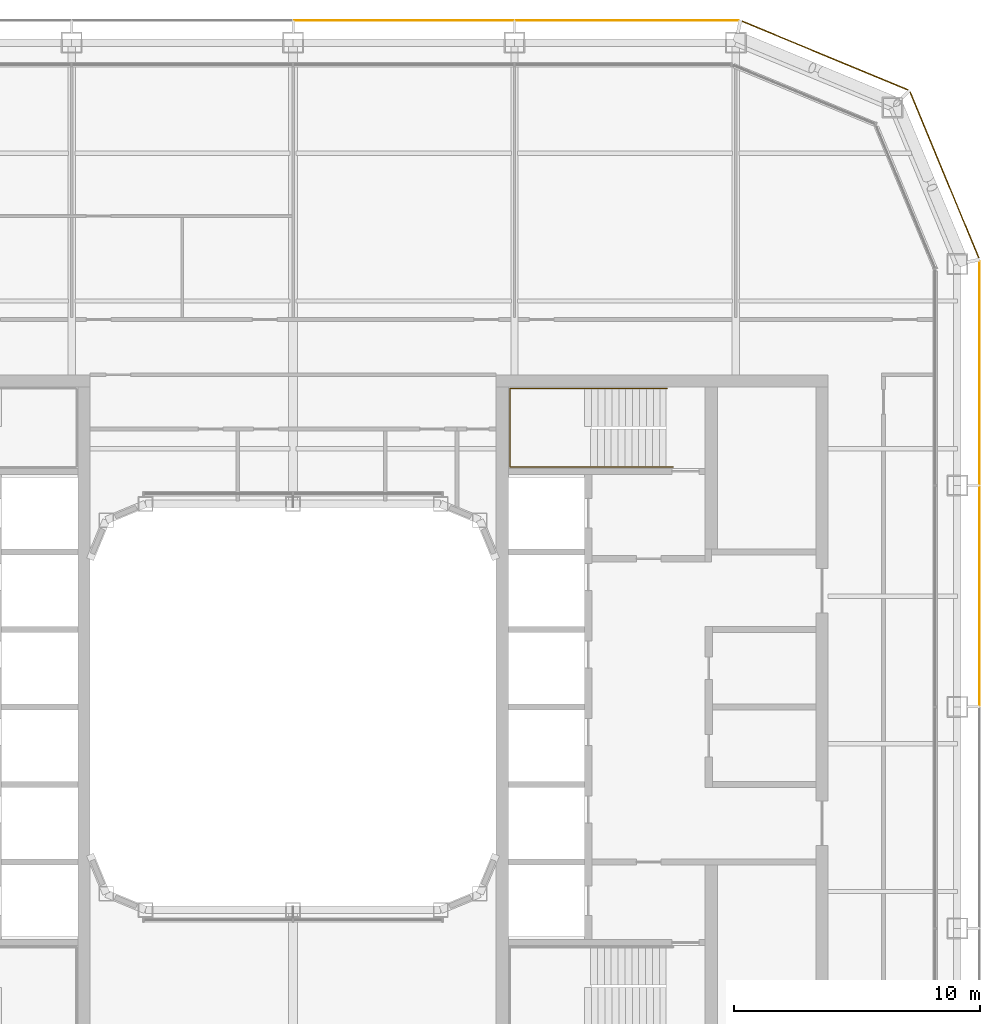
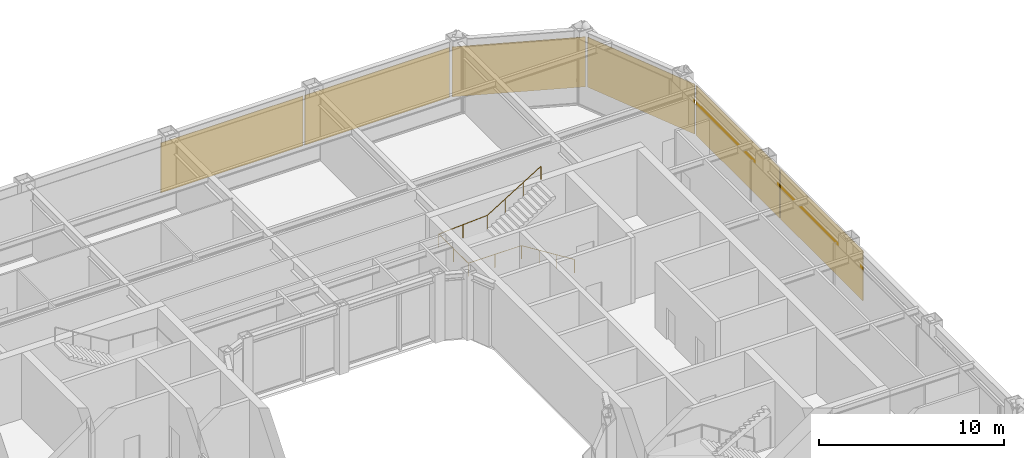
# One storey, part 19 of 19: 6 coverings, 1 railing.
"""IFC4 building model written with IfcOpenShell, lengths in metres."""

import ifcopenshell
import ifcopenshell.guid

model = None  # the IFC model being written
_history = None  # IfcOwnerHistory: only IFC2X3 demands one
_inside = {}  # id of a spatial element -> (the spatial element, [elements in it])
_under = {}  # id of a project, library or spatial element -> (it, [spatial elements below it])
_declared = {}  # id of a project -> (the project, [libraries it declares])
_typed = {}  # id of a type object -> (the type object, [elements of that type])
_made_of = {}  # id of a material, layer set ... -> (it, [elements and type objects made of it])


def new_model(schema):
    """Start an empty IFC model of exactly this schema.

    Asked for "IFC4X3", IfcOpenShell would pick the latest addendum, in which some entities
    have other attributes; the version numbers below select the first issue.
    IFC2X3 requires an IfcOwnerHistory on every rooted entity: one is made here for all.
    """
    global model, _history
    if schema == "IFC4X3":
        model = ifcopenshell.file(schema_version=(4, 3, 0, 0))
    else:
        model = ifcopenshell.file(schema=schema)
    _inside.clear()
    _under.clear()
    _declared.clear()
    _typed.clear()
    _made_of.clear()
    _history = None
    if model.schema == "IFC2X3":
        org = make("IfcOrganization", Name="unknown")
        user = make(
            "IfcPersonAndOrganization",
            ThePerson=make("IfcPerson", FamilyName="unknown"),
            TheOrganization=org,
        )
        app = make(
            "IfcApplication",
            ApplicationDeveloper=org,
            Version="unknown",
            ApplicationFullName="unknown",
            ApplicationIdentifier="unknown",
        )
        _history = make(
            "IfcOwnerHistory",
            OwningUser=user,
            OwningApplication=app,
            ChangeAction="ADDED",
            CreationDate=0,
        )
    return model


def make(cls, **values):
    """One entity of the class cls with the attributes given. An attribute that is None is left unset."""
    return model.create_entity(
        cls, **{name: value for name, value in values.items() if value is not None}
    )


def rooted(cls, **values):
    """An entity with a GlobalId (a new one), such as an element, a storey or a relation."""
    return make(cls, GlobalId=ifcopenshell.guid.new(), OwnerHistory=_history, **values)


def si_unit(unit_type, name, prefix=None):
    """IfcSIUnit, for example si_unit("LENGTHUNIT", "METRE", prefix="MILLI")."""
    return make("IfcSIUnit", UnitType=unit_type, Prefix=prefix, Name=name)


def assignment(units):
    """IfcUnitAssignment: the units of a project."""
    return None if units is None else make("IfcUnitAssignment", Units=units)


def point(xyz):
    """IfcCartesianPoint."""
    return None if xyz is None else make("IfcCartesianPoint", Coordinates=xyz)


def direction(xyz):
    """IfcDirection."""
    return None if xyz is None else make("IfcDirection", DirectionRatios=xyz)


def frame(location, z_axis=None, x_axis=None):
    """IfcAxis2Placement3D, a coordinate frame: its origin and axes. An axis left out is left unset."""
    return make(
        "IfcAxis2Placement3D",
        Location=point(location),
        Axis=direction(z_axis),
        RefDirection=direction(x_axis),
    )


def frame_2d(location, x_axis=None):
    """IfcAxis2Placement2D, a coordinate frame in the plane: its origin and x axis."""
    return make(
        "IfcAxis2Placement2D", Location=point(location), RefDirection=direction(x_axis)
    )


def origin():
    """The frame at (0, 0, 0) with its axes left unset."""
    return frame((0.0, 0.0, 0.0))


def origin_2d():
    """The frame at (0, 0) in the plane with its x axis left unset."""
    return frame_2d((0.0, 0.0))


def place(relative_to, where):
    """IfcLocalPlacement: puts the frame where relative to a parent placement (None: the world)."""
    return make(
        "IfcLocalPlacement", PlacementRelTo=relative_to, RelativePlacement=where
    )


def context(
    kind, dimensions, precision=None, world=None, true_north=None, identifier=None
):
    """IfcGeometricRepresentationContext, for example the 3D "Model" context."""
    return make(
        "IfcGeometricRepresentationContext",
        ContextIdentifier=identifier,
        ContextType=kind,
        CoordinateSpaceDimension=dimensions,
        Precision=precision,
        WorldCoordinateSystem=world,
        TrueNorth=true_north,
    )


def subcontext(parent, identifier, kind, view, scale=None):
    """IfcGeometricRepresentationSubContext, for example "Body" below "Model"."""
    return make(
        "IfcGeometricRepresentationSubContext",
        ContextIdentifier=identifier,
        ContextType=kind,
        ParentContext=parent,
        TargetScale=scale,
        TargetView=view,
    )


def project(units=None, contexts=None):
    """IfcProject with its units and contexts."""
    return rooted(
        "IfcProject",
        Name="project",
        RepresentationContexts=contexts,
        UnitsInContext=assignment(units),
    )


def spatial(cls, under=None, at=None, **own):
    """A site, building, storey or space (cls), placed at a placement, below another one or the project."""
    s = rooted(cls, ObjectPlacement=at, **own)
    if under is not None:
        _under.setdefault(under.id(), (under, []))[1].append(s)
    return s


def profile(cls, at=None, kind="AREA", **sizes):
    """A parametric profile (cls). Its sizes go by their IFC names, for example OverallWidth=200.0."""
    return make(cls, ProfileType=kind, Position=at, **sizes)


def rectangle(**sizes):
    """IfcRectangleProfileDef."""
    return profile("IfcRectangleProfileDef", **sizes)


def circle(**sizes):
    """IfcCircleProfileDef."""
    return profile("IfcCircleProfileDef", **sizes)


def extrude(swept, where, along, depth):
    """IfcExtrudedAreaSolid: the profile swept, set in the frame where, extruded along a direction by depth."""
    return make(
        "IfcExtrudedAreaSolid",
        SweptArea=swept,
        Position=where,
        ExtrudedDirection=direction(along),
        Depth=depth,
    )


def shape(context_of_items, identifier, shape_type, items):
    """IfcShapeRepresentation: the items that make up one representation, for example the "Body"."""
    return make(
        "IfcShapeRepresentation",
        ContextOfItems=context_of_items,
        RepresentationIdentifier=identifier,
        RepresentationType=shape_type,
        Items=items,
    )


def material(Name=None, Category=None):
    """IfcMaterial."""
    return make("IfcMaterial", Name=Name, Category=Category)


def layer(
    of_material, thickness, ventilated=None, Name=None, Category=None, Priority=None
):
    """IfcMaterialLayer: one layer of a wall or slab, of a material (None: an air gap)."""
    return make(
        "IfcMaterialLayer",
        Material=of_material,
        LayerThickness=thickness,
        IsVentilated=ventilated,
        Name=Name,
        Category=Category,
        Priority=Priority,
    )


def layer_set(layers, Name=None):
    """IfcMaterialLayerSet."""
    return make("IfcMaterialLayerSet", MaterialLayers=layers, LayerSetName=Name)


def made_of(thing, what):
    """Note that an element or type object is made of a material, layer set ...; save() writes the relation."""
    if what is not None:
        _made_of.setdefault(what.id(), (what, []))[1].append(thing)
    return thing


def type_object(cls, material=None, **own):
    """A type object (cls), such as IfcWallType, which elements share."""
    return made_of(rooted(cls, **own), material)


def element(
    cls,
    number,
    at=None,
    inside=None,
    cuts=None,
    type_object=None,
    material=None,
    context=None,
    identifier="Body",
    shape_type=None,
    held_by="IfcProductDefinitionShape",
    body=None,
    shapes=None,
    **own,
):
    """One element of the class cls, such as IfcWall. Its Tag is "e" and its number.

    at: its placement. inside: the storey or other place that contains it. cuts: it is an
    opening in that element (IfcRelVoidsElement). A single representation is given by context,
    identifier, shape_type and body (its items); several are given by shapes. held_by: the class
    of the entity that holds the representations. save() writes the other relations.
    """
    e = rooted(cls, Tag="e%d" % number, ObjectPlacement=at, **own)
    if body is not None:
        shapes = [shape(context, identifier, shape_type, body)]
    if shapes is not None:
        e.Representation = make(held_by, Representations=shapes)
    if inside is not None:
        _inside.setdefault(inside.id(), (inside, []))[1].append(e)
    if cuts is not None:
        rooted(
            "IfcRelVoidsElement", RelatingBuildingElement=cuts, RelatedOpeningElement=e
        )
    if type_object is not None:
        _typed.setdefault(type_object.id(), (type_object, []))[1].append(e)
    return made_of(e, material)


def aggregate(whole, parts):
    """IfcRelAggregates: a whole, such as a stair, and the parts it consists of."""
    return rooted("IfcRelAggregates", RelatingObject=whole, RelatedObjects=parts)


def save(model, path):
    """Write the relations noted so far, then the file.

    IfcRelAggregates (storeys below a building ...), IfcRelContainedInSpatialStructure (elements
    in a storey), IfcRelDefinesByType, IfcRelAssociatesMaterial and IfcRelDeclares: one each for
    every whole, place, type object, material and project.
    """
    for whole, parts in _under.values():
        aggregate(whole, parts)
    for where, things in _inside.values():
        rooted(
            "IfcRelContainedInSpatialStructure",
            RelatedElements=things,
            RelatingStructure=where,
        )
    for kind, things in _typed.values():
        rooted("IfcRelDefinesByType", RelatedObjects=things, RelatingType=kind)
    for what, things in _made_of.values():
        rooted("IfcRelAssociatesMaterial", RelatedObjects=things, RelatingMaterial=what)
    for by, libraries in _declared.values():
        rooted("IfcRelDeclares", RelatingContext=by, RelatedDefinitions=libraries)
    model.write(path)


model = new_model("IFC4")

# Units and contexts
model_context = context("Model", 3, precision=1e-05, world=origin(), true_north=direction((0.0, 1.0)))
body_context = subcontext(model_context, "Body", "Model", "MODEL_VIEW")
ifc_project = project(units=[si_unit("LENGTHUNIT", "METRE"), si_unit("AREAUNIT", "SQUARE_METRE"), si_unit("VOLUMEUNIT", "CUBIC_METRE"), si_unit("PLANEANGLEUNIT", "RADIAN"), si_unit("MASSUNIT", "GRAM", prefix="KILO")], contexts=[model_context])

# Site, building, storey
site_placement = place(None, origin())
site = spatial("IfcSite", under=ifc_project, at=site_placement, CompositionType="ELEMENT")
building_placement = place(site_placement, origin())
building = spatial("IfcBuilding", under=site, at=building_placement, Name="Siwar Civic Tower", CompositionType="ELEMENT")
storey_placement = place(building_placement, frame((0.0, 0.0, 228.699951171875)))
storey = spatial("IfcBuildingStorey", under=building, at=storey_placement, Name="L49", CompositionType="ELEMENT", Elevation=228.699951171875)

# Railing
ifc_material_1 = material(Name="Stainless steel", Category="steel")
railing_type = type_object("IfcRailingType", Name="CORE-STAIR-HANDRAIL", PredefinedType="HANDRAIL", material=ifc_material_1)
railing_placement = place(storey_placement, frame((15.449951171875, 9.758056640625, 0.173095703125)))
element("IfcRailing", 1, at=railing_placement, inside=storey, type_object=railing_type, Name="Stair handrail ST3", PredefinedType="HANDRAIL", context=body_context, shape_type="SweptSolid", body=[
    extrude(circle(Radius=0.02001953125, at=origin_2d()), frame((0.0, 0.0, 0.8798828125), z_axis=(-0.847063342986, 0.0, 0.531491950051), x_axis=(0.0, -1.0, 0.0)), (0.0, 0.0, 1.0), 3.90771484375),
    extrude(circle(Radius=0.02001953125, at=origin_2d()), frame((-3.31005859375, 0.0, 2.956787109375), z_axis=(-1.0, 0.0, 0.0), x_axis=(0.0, -1.0, 0.0)), (0.0, 0.0, 1.0), 3.331787109375),
    extrude(circle(Radius=0.02001953125, at=origin_2d()), frame((-6.641845703125, 0.0, 2.956787109375), z_axis=(0.0, 1.0, 0.0), x_axis=(-1.0, 0.0, 0.0)), (0.0, 0.0, 1.0), 3.183837890625),
    extrude(circle(Radius=0.02001953125, at=origin_2d()), frame((-6.641845703125, 3.183837890625, 2.956787109375), z_axis=(0.99837434197, 0.0, 0.056997134106), x_axis=(0.0, 1.0, 0.0)), (0.0, 0.0, 1.0), 3.036865234375),
    extrude(circle(Radius=0.02001953125, at=origin_2d()), frame((-3.60986328125, 3.183837890625, 3.1298828125), z_axis=(0.850606129759, 0.0, 0.525803396734), x_axis=(0.0, 1.0, 0.0)), (0.0, 0.0, 1.0), 3.949951171875),
    extrude(circle(Radius=0.02001953125, at=origin_2d()), origin(), (0.0, 0.0, 1.0), 0.85986328125),
    extrude(circle(Radius=0.02001953125, at=origin_2d()), frame((-1.103271484375, 0.0, 0.6923828125)), (0.0, 0.0, 1.0), 0.85986328125),
    extrude(circle(Radius=0.02001953125, at=origin_2d()), frame((-2.206787109375, 0.0, 1.384521484375)), (0.0, 0.0, 1.0), 0.85986328125),
    extrude(circle(Radius=0.02001953125, at=origin_2d()), frame((-3.31005859375, 0.0, 2.076904296875)), (0.0, 0.0, 1.0), 0.85986328125),
    extrude(circle(Radius=0.02001953125, at=origin_2d()), frame((-4.97607421875, 0.0, 2.076904296875)), (0.0, 0.0, 1.0), 0.85986328125),
    extrude(circle(Radius=0.02001953125, at=origin_2d()), frame((-6.641845703125, 0.0, 2.076904296875)), (0.0, 0.0, 1.0), 0.85986328125),
    extrude(circle(Radius=0.02001953125, at=origin_2d()), frame((-6.641845703125, 1.591796875, 2.076904296875)), (0.0, 0.0, 1.0), 0.85986328125),
    extrude(circle(Radius=0.02001953125, at=origin_2d()), frame((-6.641845703125, 3.183837890625, 2.076904296875)), (0.0, 0.0, 1.0), 0.85986328125),
    extrude(circle(Radius=0.02001953125, at=origin_2d()), frame((-5.1259765625, 3.183837890625, 2.16357421875)), (0.0, 0.0, 1.0), 0.85986328125),
    extrude(circle(Radius=0.02001953125, at=origin_2d()), frame((-3.60986328125, 3.183837890625, 2.25)), (0.0, 0.0, 1.0), 0.85986328125),
    extrude(circle(Radius=0.02001953125, at=origin_2d()), frame((-2.489990234375, 3.183837890625, 2.9423828125)), (0.0, 0.0, 1.0), 0.85986328125),
    extrude(circle(Radius=0.02001953125, at=origin_2d()), frame((-1.369873046875, 3.183837890625, 3.634521484375)), (0.0, 0.0, 1.0), 0.85986328125),
    extrude(circle(Radius=0.02001953125, at=origin_2d()), frame((-0.25, 3.183837890625, 4.326904296875)), (0.0, 0.0, 1.0), 0.85986328125),
])

# Coverings
ifc_material_2 = material(Name="Perforated aluminium cassette, pale metal", Category="aluminium")
ifc_layer = layer(ifc_material_2, 0.0400390625)
ifc_layer_set = layer_set([ifc_layer], Name="Perforated aluminium cassette, pale metal")
covering_type = type_object("IfcCoveringType", Name="ENV-OUTER SKIN OS-1", PredefinedType="CLADDING", material=ifc_layer_set)
covering_1_placement = place(storey_placement, frame((27.89990234375, 4.5, -0.14990234375), z_axis=(0.0, 0.0, 1.0), x_axis=(0.0, 1.0, 0.0)))
element("IfcCovering", 2, at=covering_1_placement, inside=storey, type_object=covering_type, Name="OUTER SKIN OS-1 E 3", PredefinedType="CLADDING", context=body_context, shape_type="SweptSolid", body=[
    extrude(rectangle(XDim=8.89990234375, YDim=0.0400390625, at=origin_2d()), origin(), (0.0, 0.0, 1.0), 3.300048828125),
])
covering_2_placement = place(storey_placement, frame((27.89990234375, 13.57958984375, -0.14990234375), z_axis=(0.0, 0.0, 1.0), x_axis=(0.0, 1.0, 0.0)))
element("IfcCovering", 3, at=covering_2_placement, inside=storey, type_object=covering_type, Name="OUTER SKIN OS-1 E 4", PredefinedType="CLADDING", context=body_context, shape_type="SweptSolid", body=[
    extrude(rectangle(XDim=9.05908203125, YDim=0.0400390625, at=origin_2d()), origin(), (0.0, 0.0, 1.0), 3.300048828125),
])
for number, where, z_axis, x_axis, name in (
    (4, (26.476318359375, 21.615966796875, -0.14990234375), (0.0, 0.0, 1.0), (-0.382683432365, 0.923879532511, 0.0), "OUTER SKIN OS-1 NE1 1"),
    (5, (21.615966796875, 26.476318359375, -0.14990234375), (0.0, 0.0, 1.0), (-0.923879532511, 0.382683432365, 0.0), "OUTER SKIN OS-1 NE2 1"),
):
    element("IfcCovering", number, at=place(storey_placement, frame(where, z_axis=z_axis, x_axis=x_axis)), inside=storey, type_object=covering_type, Name=name, PredefinedType="CLADDING", context=body_context, shape_type="SweptSolid", body=[
        extrude(rectangle(XDim=7.300048828125, YDim=0.0400390625, at=origin_2d()), origin(), (0.0, 0.0, 1.0), 3.300048828125),
    ])
covering_3_placement = place(storey_placement, frame((13.57958984375, 27.89990234375, -0.14990234375), z_axis=(0.0, 0.0, 1.0), x_axis=(-1.0, 0.0, 0.0)))
element("IfcCovering", 6, at=covering_3_placement, inside=storey, type_object=covering_type, Name="OUTER SKIN OS-1 N 1", PredefinedType="CLADDING", context=body_context, shape_type="SweptSolid", body=[
    extrude(rectangle(XDim=9.05908203125, YDim=0.0400390625, at=origin_2d()), origin(), (0.0, 0.0, 1.0), 3.300048828125),
])
covering_4_placement = place(storey_placement, frame((4.5, 27.89990234375, -0.14990234375), z_axis=(0.0, 0.0, 1.0), x_axis=(-1.0, 0.0, 0.0)))
element("IfcCovering", 7, at=covering_4_placement, inside=storey, type_object=covering_type, Name="OUTER SKIN OS-1 N 2", PredefinedType="CLADDING", context=body_context, shape_type="SweptSolid", body=[
    extrude(rectangle(XDim=8.89990234375, YDim=0.0400390625, at=origin_2d()), origin(), (0.0, 0.0, 1.0), 3.300048828125),
])

save(model, "model.ifc")
